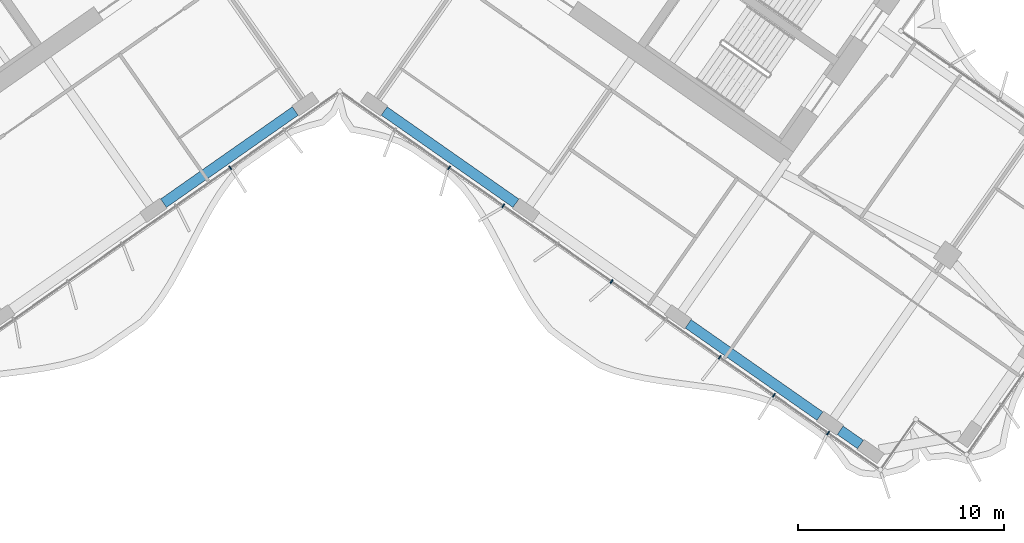
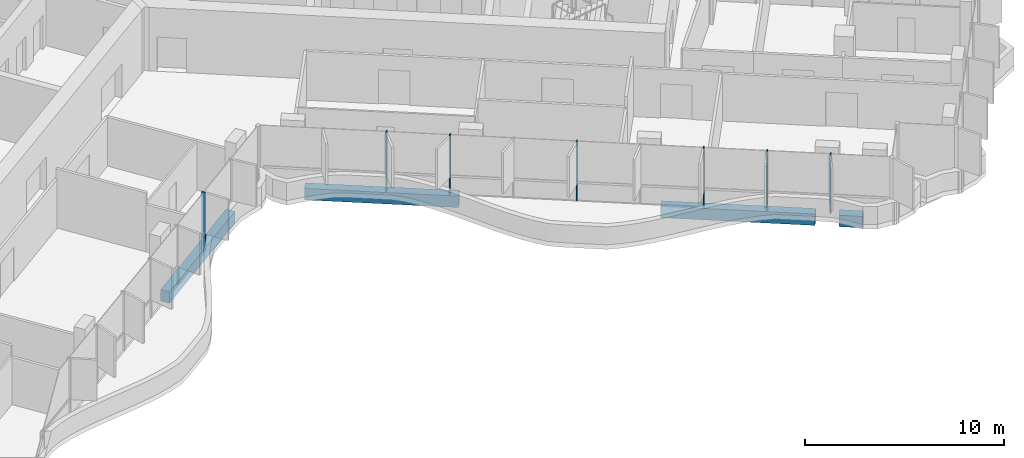
# One storey, part 5 of 23: 7 members, 4 beams, 1 element without a shape of its own.
"""IFC4 building model written with IfcOpenShell, lengths in metres."""

import ifcopenshell
import ifcopenshell.guid

model = None  # the IFC model being written
_history = None  # IfcOwnerHistory: only IFC2X3 demands one
_inside = {}  # id of a spatial element -> (the spatial element, [elements in it])
_under = {}  # id of a project, library or spatial element -> (it, [spatial elements below it])
_declared = {}  # id of a project -> (the project, [libraries it declares])
_typed = {}  # id of a type object -> (the type object, [elements of that type])
_made_of = {}  # id of a material, layer set ... -> (it, [elements and type objects made of it])


def new_model(schema):
    """Start an empty IFC model of exactly this schema.

    Asked for "IFC4X3", IfcOpenShell would pick the latest addendum, in which some entities
    have other attributes; the version numbers below select the first issue.
    IFC2X3 requires an IfcOwnerHistory on every rooted entity: one is made here for all.
    """
    global model, _history
    if schema == "IFC4X3":
        model = ifcopenshell.file(schema_version=(4, 3, 0, 0))
    else:
        model = ifcopenshell.file(schema=schema)
    _inside.clear()
    _under.clear()
    _declared.clear()
    _typed.clear()
    _made_of.clear()
    _history = None
    if model.schema == "IFC2X3":
        org = make("IfcOrganization", Name="unknown")
        user = make(
            "IfcPersonAndOrganization",
            ThePerson=make("IfcPerson", FamilyName="unknown"),
            TheOrganization=org,
        )
        app = make(
            "IfcApplication",
            ApplicationDeveloper=org,
            Version="unknown",
            ApplicationFullName="unknown",
            ApplicationIdentifier="unknown",
        )
        _history = make(
            "IfcOwnerHistory",
            OwningUser=user,
            OwningApplication=app,
            ChangeAction="ADDED",
            CreationDate=0,
        )
    return model


def make(cls, **values):
    """One entity of the class cls with the attributes given. An attribute that is None is left unset."""
    return model.create_entity(
        cls, **{name: value for name, value in values.items() if value is not None}
    )


def rooted(cls, **values):
    """An entity with a GlobalId (a new one), such as an element, a storey or a relation."""
    return make(cls, GlobalId=ifcopenshell.guid.new(), OwnerHistory=_history, **values)


def si_unit(unit_type, name, prefix=None):
    """IfcSIUnit, for example si_unit("LENGTHUNIT", "METRE", prefix="MILLI")."""
    return make("IfcSIUnit", UnitType=unit_type, Prefix=prefix, Name=name)


def assignment(units):
    """IfcUnitAssignment: the units of a project."""
    return None if units is None else make("IfcUnitAssignment", Units=units)


def point(xyz):
    """IfcCartesianPoint."""
    return None if xyz is None else make("IfcCartesianPoint", Coordinates=xyz)


def direction(xyz):
    """IfcDirection."""
    return None if xyz is None else make("IfcDirection", DirectionRatios=xyz)


def frame(location, z_axis=None, x_axis=None):
    """IfcAxis2Placement3D, a coordinate frame: its origin and axes. An axis left out is left unset."""
    return make(
        "IfcAxis2Placement3D",
        Location=point(location),
        Axis=direction(z_axis),
        RefDirection=direction(x_axis),
    )


def frame_2d(location, x_axis=None):
    """IfcAxis2Placement2D, a coordinate frame in the plane: its origin and x axis."""
    return make(
        "IfcAxis2Placement2D", Location=point(location), RefDirection=direction(x_axis)
    )


def origin():
    """The frame at (0, 0, 0) with its axes left unset."""
    return frame((0.0, 0.0, 0.0))


def origin_2d():
    """The frame at (0, 0) in the plane with its x axis left unset."""
    return frame_2d((0.0, 0.0))


def place(relative_to, where):
    """IfcLocalPlacement: puts the frame where relative to a parent placement (None: the world)."""
    return make(
        "IfcLocalPlacement", PlacementRelTo=relative_to, RelativePlacement=where
    )


def context(
    kind, dimensions, precision=None, world=None, true_north=None, identifier=None
):
    """IfcGeometricRepresentationContext, for example the 3D "Model" context."""
    return make(
        "IfcGeometricRepresentationContext",
        ContextIdentifier=identifier,
        ContextType=kind,
        CoordinateSpaceDimension=dimensions,
        Precision=precision,
        WorldCoordinateSystem=world,
        TrueNorth=true_north,
    )


def subcontext(parent, identifier, kind, view, scale=None):
    """IfcGeometricRepresentationSubContext, for example "Body" below "Model"."""
    return make(
        "IfcGeometricRepresentationSubContext",
        ContextIdentifier=identifier,
        ContextType=kind,
        ParentContext=parent,
        TargetScale=scale,
        TargetView=view,
    )


def project(units=None, contexts=None):
    """IfcProject with its units and contexts."""
    return rooted(
        "IfcProject",
        Name="project",
        RepresentationContexts=contexts,
        UnitsInContext=assignment(units),
    )


def spatial(cls, under=None, at=None, **own):
    """A site, building, storey or space (cls), placed at a placement, below another one or the project."""
    s = rooted(cls, ObjectPlacement=at, **own)
    if under is not None:
        _under.setdefault(under.id(), (under, []))[1].append(s)
    return s


def profile(cls, at=None, kind="AREA", **sizes):
    """A parametric profile (cls). Its sizes go by their IFC names, for example OverallWidth=200.0."""
    return make(cls, ProfileType=kind, Position=at, **sizes)


def rectangle(**sizes):
    """IfcRectangleProfileDef."""
    return profile("IfcRectangleProfileDef", **sizes)


def extrude(swept, where, along, depth):
    """IfcExtrudedAreaSolid: the profile swept, set in the frame where, extruded along a direction by depth."""
    return make(
        "IfcExtrudedAreaSolid",
        SweptArea=swept,
        Position=where,
        ExtrudedDirection=direction(along),
        Depth=depth,
    )


def shape(context_of_items, identifier, shape_type, items):
    """IfcShapeRepresentation: the items that make up one representation, for example the "Body"."""
    return make(
        "IfcShapeRepresentation",
        ContextOfItems=context_of_items,
        RepresentationIdentifier=identifier,
        RepresentationType=shape_type,
        Items=items,
    )


def material(Name=None, Category=None):
    """IfcMaterial."""
    return make("IfcMaterial", Name=Name, Category=Category)


def material_profile(
    of_material, cross_section, Name=None, Category=None, Priority=None
):
    """IfcMaterialProfile: a cross section and its material."""
    return make(
        "IfcMaterialProfile",
        Name=Name,
        Material=of_material,
        Profile=cross_section,
        Priority=Priority,
        Category=Category,
    )


def profile_set(profiles, Name=None, composite=None):
    """IfcMaterialProfileSet."""
    return make(
        "IfcMaterialProfileSet",
        Name=Name,
        MaterialProfiles=profiles,
        CompositeProfile=composite,
    )


def made_of(thing, what):
    """Note that an element or type object is made of a material, layer set ...; save() writes the relation."""
    if what is not None:
        _made_of.setdefault(what.id(), (what, []))[1].append(thing)
    return thing


def type_object(cls, material=None, **own):
    """A type object (cls), such as IfcWallType, which elements share."""
    return made_of(rooted(cls, **own), material)


def element(
    cls,
    number,
    at=None,
    inside=None,
    cuts=None,
    type_object=None,
    material=None,
    context=None,
    identifier="Body",
    shape_type=None,
    held_by="IfcProductDefinitionShape",
    body=None,
    shapes=None,
    **own,
):
    """One element of the class cls, such as IfcWall. Its Tag is "e" and its number.

    at: its placement. inside: the storey or other place that contains it. cuts: it is an
    opening in that element (IfcRelVoidsElement). A single representation is given by context,
    identifier, shape_type and body (its items); several are given by shapes. held_by: the class
    of the entity that holds the representations. save() writes the other relations.
    """
    e = rooted(cls, Tag="e%d" % number, ObjectPlacement=at, **own)
    if body is not None:
        shapes = [shape(context, identifier, shape_type, body)]
    if shapes is not None:
        e.Representation = make(held_by, Representations=shapes)
    if inside is not None:
        _inside.setdefault(inside.id(), (inside, []))[1].append(e)
    if cuts is not None:
        rooted(
            "IfcRelVoidsElement", RelatingBuildingElement=cuts, RelatedOpeningElement=e
        )
    if type_object is not None:
        _typed.setdefault(type_object.id(), (type_object, []))[1].append(e)
    return made_of(e, material)


def aggregate(whole, parts):
    """IfcRelAggregates: a whole, such as a stair, and the parts it consists of."""
    return rooted("IfcRelAggregates", RelatingObject=whole, RelatedObjects=parts)


def save(model, path):
    """Write the relations noted so far, then the file.

    IfcRelAggregates (storeys below a building ...), IfcRelContainedInSpatialStructure (elements
    in a storey), IfcRelDefinesByType, IfcRelAssociatesMaterial and IfcRelDeclares: one each for
    every whole, place, type object, material and project.
    """
    for whole, parts in _under.values():
        aggregate(whole, parts)
    for where, things in _inside.values():
        rooted(
            "IfcRelContainedInSpatialStructure",
            RelatedElements=things,
            RelatingStructure=where,
        )
    for kind, things in _typed.values():
        rooted("IfcRelDefinesByType", RelatedObjects=things, RelatingType=kind)
    for what, things in _made_of.values():
        rooted("IfcRelAssociatesMaterial", RelatedObjects=things, RelatingMaterial=what)
    for by, libraries in _declared.values():
        rooted("IfcRelDeclares", RelatingContext=by, RelatedDefinitions=libraries)
    model.write(path)


model = new_model("IFC4")

# Units and contexts
model_context = context("Model", 3, precision=1e-05, world=origin(), true_north=direction((0.0, 1.0)))
body_context = subcontext(model_context, "Body", "Model", "MODEL_VIEW")
ifc_project = project(units=[si_unit("LENGTHUNIT", "METRE"), si_unit("AREAUNIT", "SQUARE_METRE"), si_unit("VOLUMEUNIT", "CUBIC_METRE"), si_unit("PLANEANGLEUNIT", "RADIAN"), si_unit("MASSUNIT", "GRAM", prefix="KILO")], contexts=[model_context])

# Site, building, storey
site_placement = place(None, origin())
site = spatial("IfcSite", under=ifc_project, at=site_placement, CompositionType="ELEMENT")
building_placement = place(site_placement, origin())
building = spatial("IfcBuilding", under=site, at=building_placement, Name="Tel Ilan Convention Tower", CompositionType="ELEMENT")
storey_placement = place(building_placement, frame((0.0, 0.0, 171.0)))
storey = spatial("IfcBuildingStorey", under=building, at=storey_placement, Name="L39", CompositionType="ELEMENT", Elevation=171.0)

# Beams
ifc_material_1 = material(Name="Concrete C40/50", Category="concrete")
ifc_material_profile_1 = material_profile(ifc_material_1, rectangle(XDim=0.5, YDim=0.699951171875, at=origin_2d()), Name="RC 500x700")
ifc_profile_set_1 = profile_set([ifc_material_profile_1], Name="Concrete C40/50")
beam_type = type_object("IfcBeamType", Name="Beam RC 500x700 Concrete C40/50", PredefinedType="BEAM", material=ifc_profile_set_1)
for number, where, z_axis, x_axis, name in (
    (1, (-2.15673828125, -13.656982421875, -0.6298828125), (-0.819153977895, -0.573573674866, 0.0), (0.573573674866, -0.819153977895, 0.0), "L39 beam W-W-F1-W-F2"),
    (2, (2.15673828125, -13.656982421875, -0.6298828125), (0.819153977895, -0.573573674866, 0.0), (0.573573674866, 0.819153977895, 0.0), "L39 beam E-E-F1-E-F2"),
    (3, (16.901611328125, -23.981201171875, -0.6298828125), (0.819153977895, -0.573573674866, 0.0), (0.573573674866, 0.819153977895, 0.0), "L39 beam E-E-F3-E-F4"),
):
    element("IfcBeam", number, at=place(storey_placement, frame(where, z_axis=z_axis, x_axis=x_axis)), inside=storey, type_object=beam_type, Name=name, PredefinedType="BEAM", context=body_context, shape_type="SweptSolid", body=[
        extrude(rectangle(XDim=0.5, YDim=0.699951171875, at=origin_2d()), origin(), (0.0, 0.0, 1.0), 7.800048828125),
    ])
beam_placement = place(storey_placement, frame((24.27392578125, -29.1435546875, -0.6298828125), z_axis=(0.819155442668, -0.573571582932, 0.0), x_axis=(0.573571582932, 0.819155442668, 0.0)))
element("IfcBeam", 4, at=beam_placement, inside=storey, type_object=beam_type, Name="L39 beam E-E-F4-E-FC", PredefinedType="BEAM", context=body_context, shape_type="SweptSolid", body=[
    extrude(rectangle(XDim=0.5, YDim=0.699951171875, at=origin_2d()), origin(), (0.0, 0.0, 1.0), 1.199951171875),
])

# Curtain wall, members
ifc_material_2 = material(Name="Aluminium, bronze anodised", Category="aluminium")
curtain_wall_type = type_object("IfcCurtainWallType", Name="CW4 STICK CURTAIN WALL, OFFICE TINTED GLASS", PredefinedType="NOTDEFINED", material=ifc_material_2)
curtain_wall_placement = place(storey_placement, origin())
curtain_wall = element("IfcCurtainWall", 5, at=curtain_wall_placement, inside=storey, type_object=curtain_wall_type, Name="Curtain wall CW4-31.02", PredefinedType="NOTDEFINED")
ifc_material_3 = material(Name="Aluminium, bronze anodised", Category="aluminium")
ifc_material_profile_2 = material_profile(ifc_material_3, rectangle(XDim=0.06005859375, YDim=0.199951171875, at=origin_2d()), Name="CW MULLION 60x200")
ifc_profile_set_2 = profile_set([ifc_material_profile_2], Name="Aluminium, bronze anodised")
member_type = type_object("IfcMemberType", Name="CW MULLION 60x200", PredefinedType="MULLION", material=ifc_profile_set_2)
member_1_placement = place(storey_placement, frame((-5.307861328125, -16.41259765625, 0.0), z_axis=(0.0, 0.0, 1.0), x_axis=(0.819152044289, 0.573576436351, 0.0)))
member_1 = element("IfcMember", 6, at=member_1_placement, type_object=member_type, Name="Mullion", PredefinedType="MULLION", context=body_context, shape_type="SweptSolid", body=[
    extrude(rectangle(XDim=0.06005859375, YDim=0.199951171875, at=origin_2d()), origin(), (0.0, 0.0, 1.0), 3.6201171875),
])
member_2_placement = place(storey_placement, frame((5.307861328125, -16.41259765625, 0.0), z_axis=(0.0, 0.0, 1.0), x_axis=(0.819152044289, -0.573576436351, 0.0)))
member_2 = element("IfcMember", 7, at=member_2_placement, type_object=member_type, Name="Mullion", PredefinedType="MULLION", context=body_context, shape_type="SweptSolid", body=[
    extrude(rectangle(XDim=0.06005859375, YDim=0.199951171875, at=origin_2d()), origin(), (0.0, 0.0, 1.0), 3.6201171875),
])
member_3_placement = place(storey_placement, frame((7.932861328125, -18.250732421875, 0.0), z_axis=(0.0, 0.0, 1.0), x_axis=(0.819152044289, -0.573576436351, 0.0)))
member_3 = element("IfcMember", 8, at=member_3_placement, type_object=member_type, Name="Mullion", PredefinedType="MULLION", context=body_context, shape_type="SweptSolid", body=[
    extrude(rectangle(XDim=0.06005859375, YDim=0.199951171875, at=origin_2d()), origin(), (0.0, 0.0, 1.0), 3.6201171875),
])
member_4_placement = place(storey_placement, frame((13.183349609375, -21.92724609375, 0.0), z_axis=(0.0, 0.0, 1.0), x_axis=(0.819152044289, -0.573576436351, 0.0)))
member_4 = element("IfcMember", 9, at=member_4_placement, type_object=member_type, Name="Mullion", PredefinedType="MULLION", context=body_context, shape_type="SweptSolid", body=[
    extrude(rectangle(XDim=0.06005859375, YDim=0.199951171875, at=origin_2d()), origin(), (0.0, 0.0, 1.0), 3.6201171875),
])
member_5_placement = place(storey_placement, frame((18.433837890625, -25.603515625, 0.0), z_axis=(0.0, 0.0, 1.0), x_axis=(0.819152044289, -0.573576436351, 0.0)))
member_5 = element("IfcMember", 10, at=member_5_placement, type_object=member_type, Name="Mullion", PredefinedType="MULLION", context=body_context, shape_type="SweptSolid", body=[
    extrude(rectangle(XDim=0.06005859375, YDim=0.199951171875, at=origin_2d()), origin(), (0.0, 0.0, 1.0), 3.6201171875),
])
member_6_placement = place(storey_placement, frame((21.05908203125, -27.441650390625, 0.0), z_axis=(0.0, 0.0, 1.0), x_axis=(0.819152044289, -0.573576436351, 0.0)))
member_6 = element("IfcMember", 11, at=member_6_placement, type_object=member_type, Name="Mullion", PredefinedType="MULLION", context=body_context, shape_type="SweptSolid", body=[
    extrude(rectangle(XDim=0.06005859375, YDim=0.199951171875, at=origin_2d()), origin(), (0.0, 0.0, 1.0), 3.6201171875),
])
member_7_placement = place(storey_placement, frame((23.68408203125, -29.27978515625, 0.0), z_axis=(0.0, 0.0, 1.0), x_axis=(0.819152044289, -0.573576436351, 0.0)))
member_7 = element("IfcMember", 12, at=member_7_placement, type_object=member_type, Name="Mullion", PredefinedType="MULLION", context=body_context, shape_type="SweptSolid", body=[
    extrude(rectangle(XDim=0.06005859375, YDim=0.199951171875, at=origin_2d()), origin(), (0.0, 0.0, 1.0), 3.6201171875),
])
aggregate(curtain_wall, [member_1, member_2, member_3, member_4, member_5, member_6, member_7])

save(model, "model.ifc")
